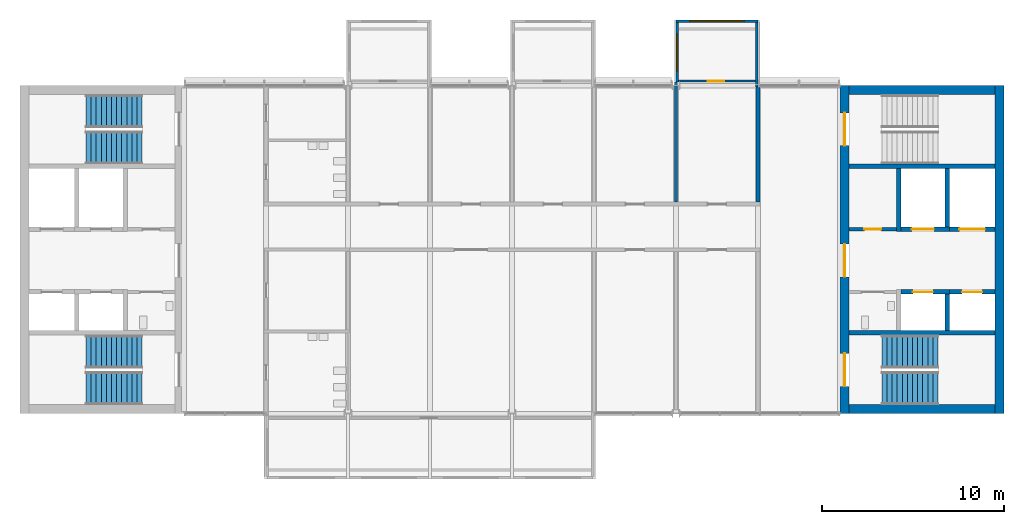
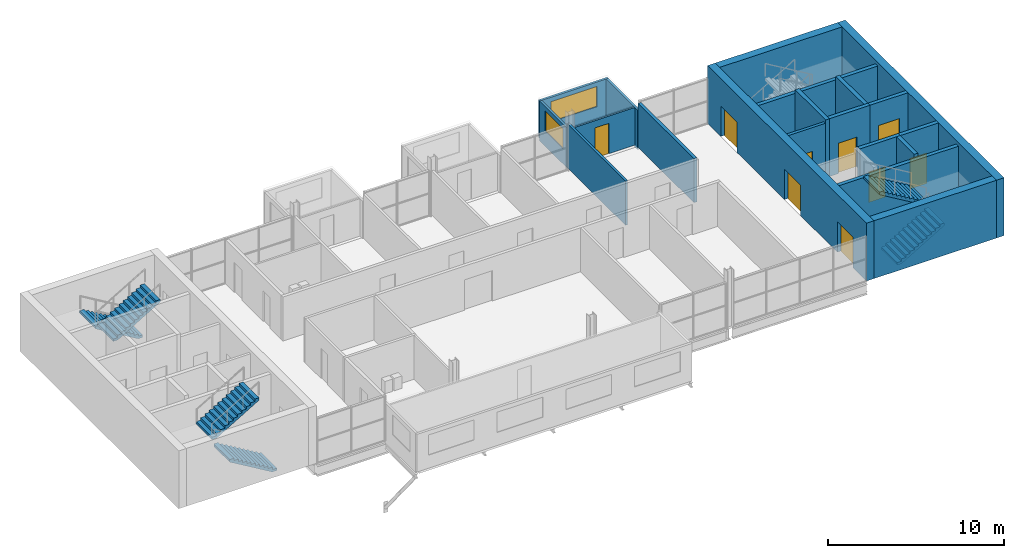
# One storey, part 8 of 12: 20 walls, 9 doors, 6 stair flights, 2 windows, 11 openings, 3 elements without a shape of their own.
"""IFC4 building model written with IfcOpenShell, lengths in metres."""

from ifc_helpers import new_model, si_unit, direction, frame, frame_2d, origin, place, context, subcontext, project, spatial, polyline, rectangle, outline, extrude, material, layer, layer_set, type_object, element, fill, aggregate, save


model = new_model("IFC4")

# Units and contexts
model_context = context("Model", 3, precision=1e-05, world=origin(), true_north=direction((0.0, 1.0)))
body_context = subcontext(model_context, "Body", "Model", "MODEL_VIEW")
ifc_project = project(units=[si_unit("LENGTHUNIT", "METRE"), si_unit("AREAUNIT", "SQUARE_METRE"), si_unit("VOLUMEUNIT", "CUBIC_METRE"), si_unit("PLANEANGLEUNIT", "RADIAN"), si_unit("MASSUNIT", "GRAM", prefix="KILO")], contexts=[model_context])

# Site, building, storey
site_placement = place(None, origin())
site = spatial("IfcSite", under=ifc_project, at=site_placement, CompositionType="ELEMENT")
building_placement = place(site_placement, origin())
building = spatial("IfcBuilding", under=site, at=building_placement, Name="Corbel Yard City Hall", CompositionType="ELEMENT")
storey_placement = place(building_placement, frame((0.0, 0.0, 31.199951171875)))
storey = spatial("IfcBuildingStorey", under=building, at=storey_placement, Name="L07", CompositionType="ELEMENT", Elevation=31.199951171875)

# Walls
ifc_material_1 = material(Name="Concrete N40 (40 MPa)", Category="concrete")
ifc_layer_1 = layer(ifc_material_1, 0.25)
ifc_layer_set_1 = layer_set([ifc_layer_1], Name="Concrete N40 (40 MPa)")
wall_type_1 = type_object("IfcWallType", Name="IW2", PredefinedType="SOLIDWALL", material=ifc_layer_set_1)
for number, where, z_axis, x_axis, name in (
    (1, (45.5, 103.425048828125, 0.0), (0.0, 0.0, 1.0), (1.0, 0.0, 0.0), "Stair enclosure wall"),
    (2, (45.5, 112.574951171875, 0.0), (0.0, 0.0, 1.0), (1.0, 0.0, 0.0), "Stair enclosure wall"),
):
    element("IfcWall", number, at=place(storey_placement, frame(where, z_axis=z_axis, x_axis=x_axis)), inside=storey, type_object=wall_type_1, Name=name, PredefinedType="SOLIDWALL", context=body_context, shape_type="SweptSolid", body=[
        extrude(rectangle(XDim=8.0, YDim=0.25, at=frame_2d((4.0, 0.0))), origin(), (0.0, 0.0, 1.0), 3.75),
    ])
wall_1_placement = place(storey_placement, frame((50.875, 103.550048828125, 0.0), z_axis=(0.0, 0.0, 1.0), x_axis=(0.0, 1.0, 0.0)))
element("IfcWall", 3, at=wall_1_placement, inside=storey, type_object=wall_type_1, Name="Lift LP25 shaft wall", PredefinedType="SOLIDWALL", context=body_context, shape_type="SweptSolid", body=[
    extrude(rectangle(XDim=2.0, YDim=0.25, at=frame_2d((1.0, 0.0))), origin(), (0.0, 0.0, 1.0), 4.0),
])

# Wall, opening, door
wall_2_placement = place(storey_placement, frame((48.35009765625, 105.675048828125, 0.0), z_axis=(0.0, 0.0, 1.0), x_axis=(1.0, 0.0, 0.0)))
wall_2 = element("IfcWall", 4, at=wall_2_placement, inside=storey, type_object=wall_type_1, Name="Lift LP25 shaft wall", PredefinedType="SOLIDWALL", context=body_context, shape_type="SweptSolid", body=[
    extrude(rectangle(XDim=2.64990234375, YDim=0.25, at=frame_2d((1.324951171875, 0.0))), origin(), (0.0, 0.0, 1.0), 4.0),
])
opening_1_placement = place(wall_2_placement, frame((0.64990234375, 0.0, 0.0)))
opening_1 = element("IfcOpeningElement", 5, at=opening_1_placement, cuts=wall_2, Name="Opening T2-009", PredefinedType="OPENING", context=body_context, shape_type="SweptSolid", body=[
    extrude(rectangle(XDim=1.10009765625, YDim=2.10009765625, at=frame_2d((0.550048828125, 1.050048828125))), frame((0.0, 0.135009765625, 0.0), z_axis=(0.0, -1.0, 0.0), x_axis=(1.0, 0.0, 0.0)), (0.0, 0.0, 1.0), 0.27001953125),
])
ifc_material_2 = material(Name="Stainless steel Grade 316", Category="steel")
door_type_1 = type_object("IfcDoorType", Name="LD1", OperationType="DOUBLE_DOOR_SLIDING", PredefinedType="DOOR", material=ifc_material_2)
door_1_placement = place(opening_1_placement, origin())
door_1 = element("IfcDoor", 6, at=door_1_placement, inside=storey, type_object=door_type_1, Name="Lift LP25 landing door", OperationType="DOUBLE_DOOR_SLIDING", OverallHeight=2.10009765625, OverallWidth=1.10009765625, PredefinedType="DOOR", context=body_context, shape_type="SweptSolid", body=[
    extrude(rectangle(XDim=1.10009765625, YDim=2.10009765625, at=frame_2d((0.550048828125, 1.050048828125))), frame((0.0, 0.02490234375, 0.0), z_axis=(0.0, -1.0, 0.0), x_axis=(1.0, 0.0, 0.0)), (0.0, 0.0, 1.0), 0.050048828125),
])
fill(opening_1, door_1)

wall_3_placement = place(storey_placement, frame((51.0, 105.675048828125, 0.0), z_axis=(0.0, 0.0, 1.0), x_axis=(1.0, 0.0, 0.0)))
wall_3 = element("IfcWall", 7, at=wall_3_placement, inside=storey, type_object=wall_type_1, Name="Lift LP26 shaft wall", PredefinedType="SOLIDWALL", context=body_context, shape_type="SweptSolid", body=[
    extrude(rectangle(XDim=2.5, YDim=0.25, at=frame_2d((1.25, 0.0))), origin(), (0.0, 0.0, 1.0), 4.0),
])
opening_2_placement = place(wall_3_placement, frame((0.699951171875, 0.0, 0.0)))
opening_2 = element("IfcOpeningElement", 8, at=opening_2_placement, cuts=wall_3, Name="Opening T2-010", PredefinedType="OPENING", context=body_context, shape_type="SweptSolid", body=[
    extrude(rectangle(XDim=1.10009765625, YDim=2.10009765625, at=frame_2d((0.550048828125, 1.050048828125))), frame((0.0, 0.135009765625, 0.0), z_axis=(0.0, -1.0, 0.0), x_axis=(1.0, 0.0, 0.0)), (0.0, 0.0, 1.0), 0.27001953125),
])
door_2_placement = place(opening_2_placement, origin())
door_2 = element("IfcDoor", 9, at=door_2_placement, inside=storey, type_object=door_type_1, Name="Lift LP26 landing door", OperationType="DOUBLE_DOOR_SLIDING", OverallHeight=2.10009765625, OverallWidth=1.10009765625, PredefinedType="DOOR", context=body_context, shape_type="SweptSolid", body=[
    extrude(rectangle(XDim=1.10009765625, YDim=2.10009765625, at=frame_2d((0.550048828125, 1.050048828125))), frame((0.0, 0.02490234375, 0.0), z_axis=(0.0, -1.0, 0.0), x_axis=(1.0, 0.0, 0.0)), (0.0, 0.0, 1.0), 0.050048828125),
])
fill(opening_2, door_2)

# Walls
wall_4_placement = place(storey_placement, frame((48.22509765625, 109.0, 0.0), z_axis=(0.0, 0.0, 1.0), x_axis=(0.0, 1.0, 0.0)))
element("IfcWall", 10, at=wall_4_placement, inside=storey, type_object=wall_type_1, Name="Lift LF2 shaft wall", PredefinedType="SOLIDWALL", context=body_context, shape_type="SweptSolid", body=[
    extrude(rectangle(XDim=3.449951171875, YDim=0.25, at=frame_2d((1.72509765625, 0.0))), origin(), (0.0, 0.0, 1.0), 4.0),
])
wall_5_placement = place(storey_placement, frame((50.875, 109.25, 0.0), z_axis=(0.0, 0.0, 1.0), x_axis=(0.0, 1.0, 0.0)))
element("IfcWall", 11, at=wall_5_placement, inside=storey, type_object=wall_type_1, Name="Lift LF2 shaft wall", PredefinedType="SOLIDWALL", context=body_context, shape_type="SweptSolid", body=[
    extrude(rectangle(XDim=3.199951171875, YDim=0.25, at=frame_2d((1.60009765625, 0.0))), origin(), (0.0, 0.0, 1.0), 4.0),
])

# Wall, opening, door
wall_6_placement = place(storey_placement, frame((48.35009765625, 109.125, 0.0), z_axis=(0.0, 0.0, 1.0), x_axis=(1.0, 0.0, 0.0)))
wall_6 = element("IfcWall", 12, at=wall_6_placement, inside=storey, type_object=wall_type_1, Name="Lift LF2 shaft wall", PredefinedType="SOLIDWALL", context=body_context, shape_type="SweptSolid", body=[
    extrude(rectangle(XDim=2.64990234375, YDim=0.25, at=frame_2d((1.324951171875, 0.0))), origin(), (0.0, 0.0, 1.0), 4.0),
])
opening_3_placement = place(wall_6_placement, frame((0.60009765625, 0.0, 0.0)))
opening_3 = element("IfcOpeningElement", 13, at=opening_3_placement, cuts=wall_6, Name="Opening T2-011", PredefinedType="OPENING", context=body_context, shape_type="SweptSolid", body=[
    extrude(rectangle(XDim=1.199951171875, YDim=2.10009765625, at=frame_2d((0.60009765625, 1.050048828125))), frame((0.0, 0.135009765625, 0.0), z_axis=(0.0, -1.0, 0.0), x_axis=(1.0, 0.0, 0.0)), (0.0, 0.0, 1.0), 0.27001953125),
])
door_type_2 = type_object("IfcDoorType", Name="LD2", OperationType="DOUBLE_DOOR_SLIDING", PredefinedType="DOOR", material=ifc_material_2)
door_3_placement = place(opening_3_placement, origin())
door_3 = element("IfcDoor", 14, at=door_3_placement, inside=storey, type_object=door_type_2, Name="Lift LF2 landing door", OperationType="DOUBLE_DOOR_SLIDING", OverallHeight=2.10009765625, OverallWidth=1.199951171875, PredefinedType="DOOR", context=body_context, shape_type="SweptSolid", body=[
    extrude(rectangle(XDim=1.199951171875, YDim=2.10009765625, at=frame_2d((0.60009765625, 1.050048828125))), frame((0.0, 0.02490234375, 0.0), z_axis=(0.0, -1.0, 0.0), x_axis=(1.0, 0.0, 0.0)), (0.0, 0.0, 1.0), 0.050048828125),
])
fill(opening_3, door_3)

wall_7_placement = place(storey_placement, frame((51.0, 109.125, 0.0), z_axis=(0.0, 0.0, 1.0), x_axis=(1.0, 0.0, 0.0)))
wall_7 = element("IfcWall", 15, at=wall_7_placement, inside=storey, type_object=wall_type_1, Name="Lift LG1 shaft wall", PredefinedType="SOLIDWALL", context=body_context, shape_type="SweptSolid", body=[
    extrude(rectangle(XDim=2.5, YDim=0.25, at=frame_2d((1.25, 0.0))), origin(), (0.0, 0.0, 1.0), 4.0),
])
opening_4_placement = place(wall_7_placement, frame((0.550048828125, 0.0, 0.0)))
opening_4 = element("IfcOpeningElement", 16, at=opening_4_placement, cuts=wall_7, Name="Opening T2-012", PredefinedType="OPENING", context=body_context, shape_type="SweptSolid", body=[
    extrude(rectangle(XDim=1.39990234375, YDim=2.39990234375, at=frame_2d((0.699951171875, 1.199951171875))), frame((0.0, 0.135009765625, 0.0), z_axis=(0.0, -1.0, 0.0), x_axis=(1.0, 0.0, 0.0)), (0.0, 0.0, 1.0), 0.27001953125),
])
door_type_3 = type_object("IfcDoorType", Name="LD3", OperationType="DOUBLE_DOOR_SLIDING", PredefinedType="DOOR", material=ifc_material_2)
door_4_placement = place(opening_4_placement, origin())
door_4 = element("IfcDoor", 17, at=door_4_placement, inside=storey, type_object=door_type_3, Name="Lift LG1 landing door", OperationType="DOUBLE_DOOR_SLIDING", OverallHeight=2.39990234375, OverallWidth=1.39990234375, PredefinedType="DOOR", context=body_context, shape_type="SweptSolid", body=[
    extrude(rectangle(XDim=1.39990234375, YDim=2.39990234375, at=frame_2d((0.699951171875, 1.199951171875))), frame((0.0, 0.02490234375, 0.0), z_axis=(0.0, -1.0, 0.0), x_axis=(1.0, 0.0, 0.0)), (0.0, 0.0, 1.0), 0.050048828125),
])
fill(opening_4, door_4)

# Wall, opening, window
ifc_material_3 = material(Name="Anodised aluminium", Category="aluminium")
ifc_layer_2 = layer(ifc_material_3, 0.02392578125)
ifc_material_4 = material(Name="Steel Grade G550 (550 MPa yield)", Category="steel")
ifc_layer_3 = layer(ifc_material_4, 0.10009765625)
ifc_material_5 = material(Name="Gypsum plasterboard", Category="gypsum")
ifc_layer_4 = layer(ifc_material_5, 0.02587890625)
ifc_layer_set_2 = layer_set([ifc_layer_2, ifc_layer_3, ifc_layer_4], Name="Steel Grade G550 (550 MPa yield)")
wall_type_2 = type_object("IfcWallType", Name="PD1", PredefinedType="SOLIDWALL", material=ifc_layer_set_2)
wall_8_placement = place(storey_placement, frame((36.0, 120.52490234375, 0.0), z_axis=(0.0, 0.0, 1.0), x_axis=(1.0, 0.0, 0.0)))
wall_8 = element("IfcWall", 18, at=wall_8_placement, inside=storey, type_object=wall_type_2, Name="Pod outer wall L07", PredefinedType="SOLIDWALL", context=body_context, shape_type="SweptSolid", body=[
    extrude(rectangle(XDim=4.5, YDim=0.14990234375, at=frame_2d((2.25, 0.0))), origin(), (0.0, 0.0, 1.0), 2.60009765625),
])
opening_5_placement = place(wall_8_placement, frame((0.75, 0.0, 0.89990234375)))
opening_5 = element("IfcOpeningElement", 19, at=opening_5_placement, cuts=wall_8, Name="Opening WN5", PredefinedType="OPENING", context=body_context, shape_type="SweptSolid", body=[
    extrude(rectangle(XDim=3.0, YDim=1.39990234375, at=frame_2d((1.5, 0.699951171875))), frame((0.0, 0.0849609375, 0.0), z_axis=(0.0, -1.0, 0.0), x_axis=(1.0, 0.0, 0.0)), (0.0, 0.0, 1.0), 0.169921875),
])
ifc_material_6 = material(Name="Aluminium frame, double glazed low-e glass", Category="aluminium")
window_type_1 = type_object("IfcWindowType", Name="WN5", PartitioningType="SINGLE_PANEL", PredefinedType="WINDOW", material=ifc_material_6)
window_1_placement = place(opening_5_placement, origin())
window_1 = element("IfcWindow", 20, at=window_1_placement, inside=storey, type_object=window_type_1, Name="Window WN5 L07", OverallHeight=1.39990234375, OverallWidth=3.0, PartitioningType="SINGLE_PANEL", PredefinedType="WINDOW", context=body_context, shape_type="SweptSolid", body=[
    extrude(rectangle(XDim=3.0, YDim=1.39990234375, at=frame_2d((1.5, 0.699951171875))), frame((0.0, 0.030029296875, 0.0), z_axis=(0.0, -1.0, 0.0), x_axis=(1.0, 0.0, 0.0)), (0.0, 0.0, 1.0), 0.06005859375),
])
fill(opening_5, window_1)

# Wall, opening, door
ifc_layer_5 = layer(ifc_material_5, 0.01806640625)
ifc_layer_6 = layer(ifc_material_4, 0.06396484375)
ifc_layer_7 = layer(ifc_material_5, 0.01806640625)
ifc_layer_set_3 = layer_set([ifc_layer_5, ifc_layer_6, ifc_layer_7], Name="Steel Grade G550 (550 MPa yield)")
wall_type_3 = type_object("IfcWallType", Name="PD2", PredefinedType="PARTITIONING", material=ifc_layer_set_3)
wall_9_placement = place(storey_placement, frame((36.14990234375, 117.25, 0.0), z_axis=(0.0, 0.0, 1.0), x_axis=(1.0, 0.0, 0.0)))
wall_9 = element("IfcWall", 21, at=wall_9_placement, inside=storey, type_object=wall_type_3, Name="Pod inner wall L07", PredefinedType="PARTITIONING", context=body_context, shape_type="SweptSolid", body=[
    extrude(rectangle(XDim=4.2001953125, YDim=0.10009765625, at=frame_2d((2.10009765625, 0.0))), origin(), (0.0, 0.0, 1.0), 2.60009765625),
])
opening_6_placement = place(wall_9_placement, frame((1.60009765625, 0.0, 0.0)))
opening_6 = element("IfcOpeningElement", 22, at=opening_6_placement, cuts=wall_9, Name="Opening T2-004", PredefinedType="OPENING", context=body_context, shape_type="SweptSolid", body=[
    extrude(rectangle(XDim=0.89990234375, YDim=2.10009765625, at=frame_2d((0.449951171875, 1.050048828125))), frame((0.0, 0.06005859375, 0.0), z_axis=(0.0, -1.0, 0.0), x_axis=(1.0, 0.0, 0.0)), (0.0, 0.0, 1.0), 0.1201171875),
])
ifc_material_7 = material(Name="Timber, solid core", Category="wood")
door_type_4 = type_object("IfcDoorType", Name="XD6", OperationType="SINGLE_SWING_LEFT", PredefinedType="DOOR", material=ifc_material_7)
door_5_placement = place(opening_6_placement, origin())
door_5 = element("IfcDoor", 23, at=door_5_placement, inside=storey, type_object=door_type_4, Name="Pod door L07", OperationType="SINGLE_SWING_LEFT", OverallHeight=2.10009765625, OverallWidth=0.89990234375, PredefinedType="DOOR", context=body_context, shape_type="SweptSolid", body=[
    extrude(rectangle(XDim=0.89990234375, YDim=2.10009765625, at=frame_2d((0.449951171875, 1.050048828125))), frame((0.0, 0.02490234375, 0.0), z_axis=(0.0, -1.0, 0.0), x_axis=(1.0, 0.0, 0.0)), (0.0, 0.0, 1.0), 0.050048828125),
])
fill(opening_6, door_5)

# Wall, opening, window
ifc_layer_8 = layer(ifc_material_3, 0.02392578125)
ifc_layer_9 = layer(ifc_material_4, 0.10009765625)
ifc_layer_10 = layer(ifc_material_5, 0.02587890625)
ifc_layer_set_4 = layer_set([ifc_layer_8, ifc_layer_9, ifc_layer_10], Name="Steel Grade G550 (550 MPa yield)")
wall_type_4 = type_object("IfcWallType", Name="PD3", PredefinedType="SOLIDWALL", material=ifc_layer_set_4)
wall_10_placement = place(storey_placement, frame((36.074951171875, 120.449951171875, -0.14990234375), z_axis=(0.0, 0.0, 1.0), x_axis=(0.0, -1.0, 0.0)))
wall_10 = element("IfcWall", 24, at=wall_10_placement, inside=storey, type_object=wall_type_4, Name="Pod side wall L07", PredefinedType="SOLIDWALL", context=body_context, shape_type="SweptSolid", body=[
    extrude(rectangle(XDim=3.25, YDim=0.14990234375, at=frame_2d((1.625, 0.0))), origin(), (0.0, 0.0, 1.0), 2.75),
])
opening_7_placement = place(wall_10_placement, frame((0.625, 0.0, 1.050048828125)))
opening_7 = element("IfcOpeningElement", 25, at=opening_7_placement, cuts=wall_10, Name="Opening WN6", PredefinedType="OPENING", context=body_context, shape_type="SweptSolid", body=[
    extrude(rectangle(XDim=2.0, YDim=1.39990234375, at=frame_2d((1.0, 0.699951171875))), frame((0.0, 0.0849609375, 0.0), z_axis=(0.0, -1.0, 0.0), x_axis=(1.0, 0.0, 0.0)), (0.0, 0.0, 1.0), 0.169921875),
])
window_type_2 = type_object("IfcWindowType", Name="WN6", PartitioningType="SINGLE_PANEL", PredefinedType="WINDOW", material=ifc_material_6)
window_2_placement = place(opening_7_placement, origin())
window_2 = element("IfcWindow", 26, at=window_2_placement, inside=storey, type_object=window_type_2, Name="Window WN6 L07", OverallHeight=1.39990234375, OverallWidth=2.0, PartitioningType="SINGLE_PANEL", PredefinedType="WINDOW", context=body_context, shape_type="SweptSolid", body=[
    extrude(rectangle(XDim=2.0, YDim=1.39990234375, at=frame_2d((1.0, 0.699951171875))), frame((0.0, 0.030029296875, 0.0), z_axis=(0.0, -1.0, 0.0), x_axis=(1.0, 0.0, 0.0)), (0.0, 0.0, 1.0), 0.06005859375),
])
fill(opening_7, window_2)

# Walls
wall_11_placement = place(storey_placement, frame((40.425048828125, 120.449951171875, -0.14990234375), z_axis=(0.0, 0.0, 1.0), x_axis=(0.0, -1.0, 0.0)))
element("IfcWall", 27, at=wall_11_placement, inside=storey, type_object=wall_type_4, Name="Pod side wall L07", PredefinedType="SOLIDWALL", context=body_context, shape_type="SweptSolid", body=[
    extrude(rectangle(XDim=3.5400390625, YDim=0.14990234375, at=frame_2d((1.77001953125, 0.0))), origin(), (0.0, 0.0, 1.0), 2.75),
])
ifc_layer_11 = layer(ifc_material_5, 0.031982421875)
ifc_layer_12 = layer(ifc_material_4, 0.135986328125)
ifc_layer_13 = layer(ifc_material_5, 0.031982421875)
ifc_layer_set_5 = layer_set([ifc_layer_11, ifc_layer_12, ifc_layer_13], Name="Steel Grade G550 (550 MPa yield)")
wall_type_5 = type_object("IfcWallType", Name="PT2", PredefinedType="PARTITIONING", material=ifc_layer_set_5)
wall_12_placement = place(storey_placement, frame((40.5, 110.60009765625, 0.0), z_axis=(0.0, 0.0, 1.0), x_axis=(0.0, 1.0, 0.0)))
element("IfcWall", 28, at=wall_12_placement, inside=storey, type_object=wall_type_5, Name="Acoustic wall", PredefinedType="PARTITIONING", context=body_context, shape_type="SweptSolid", body=[
    extrude(rectangle(XDim=6.309814453125, YDim=0.199951171875, at=frame_2d((3.15478515625, 0.0))), origin(), (0.0, 0.0, 1.0), 3.050048828125),
])

# Wall, opening, door
ifc_material_8 = material(Name="Concrete block", Category="concrete")
ifc_layer_14 = layer(ifc_material_8, 0.18994140625)
ifc_layer_set_6 = layer_set([ifc_layer_14], Name="Concrete block")
wall_type_6 = type_object("IfcWallType", Name="PT4", PredefinedType="PARTITIONING", material=ifc_layer_set_6)
wall_13_placement = place(storey_placement, frame((45.5, 109.125, 0.0), z_axis=(0.0, 0.0, 1.0), x_axis=(1.0, 0.0, 0.0)))
wall_13 = element("IfcWall", 29, at=wall_13_placement, inside=storey, type_object=wall_type_6, Name="Riser wall", PredefinedType="PARTITIONING", context=body_context, shape_type="SweptSolid", body=[
    extrude(rectangle(XDim=2.60009765625, YDim=0.18994140625, at=frame_2d((1.300048828125, 0.0))), origin(), (0.0, 0.0, 1.0), 3.75),
])
opening_8_placement = place(wall_13_placement, frame((0.840087890625, 0.0, 0.0)))
opening_8 = element("IfcOpeningElement", 30, at=opening_8_placement, cuts=wall_13, Name="Opening T2-034", PredefinedType="OPENING", context=body_context, shape_type="SweptSolid", body=[
    extrude(rectangle(XDim=0.919921875, YDim=2.10009765625, at=frame_2d((0.4599609375, 1.050048828125))), frame((0.0, 0.10498046875, 0.0), z_axis=(0.0, -1.0, 0.0), x_axis=(1.0, 0.0, 0.0)), (0.0, 0.0, 1.0), 0.2099609375),
])
ifc_material_9 = material(Name="Steel Grade G250", Category="steel")
door_type_5 = type_object("IfcDoorType", Name="FS4", OperationType="SINGLE_SWING_LEFT", PredefinedType="DOOR", material=ifc_material_9)
door_6_placement = place(opening_8_placement, origin())
door_6 = element("IfcDoor", 31, at=door_6_placement, inside=storey, type_object=door_type_5, Name="Door riser East", OperationType="SINGLE_SWING_LEFT", OverallHeight=2.10009765625, OverallWidth=0.919921875, PredefinedType="DOOR", context=body_context, shape_type="SweptSolid", body=[
    extrude(rectangle(XDim=0.919921875, YDim=2.10009765625, at=frame_2d((0.4599609375, 1.050048828125))), frame((0.0, 0.02490234375, 0.0), z_axis=(0.0, -1.0, 0.0), x_axis=(1.0, 0.0, 0.0)), (0.0, 0.0, 1.0), 0.050048828125),
])
fill(opening_8, door_6)

# Wall
ifc_layer_15 = layer(ifc_material_5, 0.031982421875)
ifc_layer_16 = layer(ifc_material_4, 0.0859375)
ifc_layer_17 = layer(ifc_material_5, 0.031982421875)
ifc_layer_set_7 = layer_set([ifc_layer_15, ifc_layer_16, ifc_layer_17], Name="Steel Grade G550 (550 MPa yield)")
wall_type_7 = type_object("IfcWallType", Name="PT7", PredefinedType="PARTITIONING", material=ifc_layer_set_7)
wall_14_placement = place(storey_placement, frame((36.0, 110.60009765625, 0.0), z_axis=(0.0, 0.0, 1.0), x_axis=(0.0, 1.0, 0.0)))
element("IfcWall", 32, at=wall_14_placement, inside=storey, type_object=wall_type_7, Name="Suite partition", PredefinedType="PARTITIONING", context=body_context, shape_type="SweptSolid", body=[
    extrude(rectangle(XDim=6.599853515625, YDim=0.14990234375, at=frame_2d((3.2998046875, 0.0))), origin(), (0.0, 0.0, 1.0), 3.050048828125),
])

# Wall, openings, doors
ifc_material_10 = material(Name="Concrete N50 (50 MPa)", Category="concrete")
ifc_layer_18 = layer(ifc_material_10, 0.5)
ifc_layer_set_8 = layer_set([ifc_layer_18], Name="Concrete N50 (50 MPa)")
wall_type_8 = type_object("IfcWallType", Name="Trunk wall 500", PredefinedType="SHEAR", material=ifc_layer_set_8)
wall_15_placement = place(storey_placement, frame((45.25, 99.0, 0.0), z_axis=(0.0, 0.0, 1.0), x_axis=(0.0, 1.0, 0.0)))
wall_15 = element("IfcWall", 33, at=wall_15_placement, inside=storey, type_object=wall_type_8, Name="Trunk E west wall", PredefinedType="SHEAR", context=body_context, shape_type="SweptSolid", body=[
    extrude(rectangle(XDim=18.0, YDim=0.5, at=frame_2d((9.0, 0.0))), origin(), (0.0, 0.0, 1.0), 4.0),
])
opening_9_placement = place(wall_15_placement, frame((1.5, 0.0, 0.0)))
opening_9 = element("IfcOpeningElement", 34, at=opening_9_placement, cuts=wall_15, Name="Opening T2-030", PredefinedType="OPENING", context=body_context, shape_type="SweptSolid", body=[
    extrude(rectangle(XDim=1.800048828125, YDim=2.10009765625, at=frame_2d((0.89990234375, 1.050048828125))), frame((0.0, 0.260009765625, 0.0), z_axis=(0.0, -1.0, 0.0), x_axis=(1.0, 0.0, 0.0)), (0.0, 0.0, 1.0), 0.52001953125),
])
opening_10_placement = place(wall_15_placement, frame((14.699951171875, 0.0, 0.0)))
opening_10 = element("IfcOpeningElement", 35, at=opening_10_placement, cuts=wall_15, Name="Opening T2-031", PredefinedType="OPENING", context=body_context, shape_type="SweptSolid", body=[
    extrude(rectangle(XDim=1.800048828125, YDim=2.10009765625, at=frame_2d((0.89990234375, 1.050048828125))), frame((0.0, 0.260009765625, 0.0), z_axis=(0.0, -1.0, 0.0), x_axis=(1.0, 0.0, 0.0)), (0.0, 0.0, 1.0), 0.52001953125),
])
opening_11_placement = place(wall_15_placement, frame((7.5, 0.0, 0.0)))
opening_11 = element("IfcOpeningElement", 36, at=opening_11_placement, cuts=wall_15, Name="Opening T2-032", PredefinedType="OPENING", context=body_context, shape_type="SweptSolid", body=[
    extrude(rectangle(XDim=1.800048828125, YDim=2.10009765625, at=frame_2d((0.89990234375, 1.050048828125))), frame((0.0, 0.260009765625, 0.0), z_axis=(0.0, -1.0, 0.0), x_axis=(1.0, 0.0, 0.0)), (0.0, 0.0, 1.0), 0.52001953125),
])
door_type_6 = type_object("IfcDoorType", Name="FS3", OperationType="DOUBLE_DOOR_SINGLE_SWING", PredefinedType="DOOR", material=ifc_material_9)
door_7_placement = place(opening_9_placement, origin())
door_7 = element("IfcDoor", 37, at=door_7_placement, inside=storey, type_object=door_type_6, Name="Door ST-E1", OperationType="DOUBLE_DOOR_SINGLE_SWING", OverallHeight=2.10009765625, OverallWidth=1.800048828125, PredefinedType="DOOR", context=body_context, shape_type="SweptSolid", body=[
    extrude(rectangle(XDim=1.800048828125, YDim=2.10009765625, at=frame_2d((0.89990234375, 1.050048828125))), frame((0.0, 0.02490234375, 0.0), z_axis=(0.0, -1.0, 0.0), x_axis=(1.0, 0.0, 0.0)), (0.0, 0.0, 1.0), 0.050048828125),
])
fill(opening_9, door_7)
door_8_placement = place(opening_10_placement, origin())
door_8 = element("IfcDoor", 38, at=door_8_placement, inside=storey, type_object=door_type_6, Name="Door ST-E2", OperationType="DOUBLE_DOOR_SINGLE_SWING", OverallHeight=2.10009765625, OverallWidth=1.800048828125, PredefinedType="DOOR", context=body_context, shape_type="SweptSolid", body=[
    extrude(rectangle(XDim=1.800048828125, YDim=2.10009765625, at=frame_2d((0.89990234375, 1.050048828125))), frame((0.0, 0.02490234375, 0.0), z_axis=(0.0, -1.0, 0.0), x_axis=(1.0, 0.0, 0.0)), (0.0, 0.0, 1.0), 0.050048828125),
])
fill(opening_10, door_8)
door_9_placement = place(opening_11_placement, origin())
door_9 = element("IfcDoor", 39, at=door_9_placement, inside=storey, type_object=door_type_6, Name="Door lift lobby East", OperationType="DOUBLE_DOOR_SINGLE_SWING", OverallHeight=2.10009765625, OverallWidth=1.800048828125, PredefinedType="DOOR", context=body_context, shape_type="SweptSolid", body=[
    extrude(rectangle(XDim=1.800048828125, YDim=2.10009765625, at=frame_2d((0.89990234375, 1.050048828125))), frame((0.0, 0.02490234375, 0.0), z_axis=(0.0, -1.0, 0.0), x_axis=(1.0, 0.0, 0.0)), (0.0, 0.0, 1.0), 0.050048828125),
])
fill(opening_11, door_9)

# Walls
wall_16_placement = place(storey_placement, frame((53.75, 99.0, 0.0), z_axis=(0.0, 0.0, 1.0), x_axis=(0.0, 1.0, 0.0)))
element("IfcWall", 40, at=wall_16_placement, inside=storey, type_object=wall_type_8, Name="Trunk E east wall", PredefinedType="SHEAR", context=body_context, shape_type="SweptSolid", body=[
    extrude(rectangle(XDim=18.0, YDim=0.5, at=frame_2d((9.0, 0.0))), origin(), (0.0, 0.0, 1.0), 4.0),
])
for number, where, z_axis, x_axis, name in (
    (41, (45.5, 99.25, 0.0), (0.0, 0.0, 1.0), (1.0, 0.0, 0.0), "Trunk E south wall"),
    (42, (45.5, 116.75, 0.0), (0.0, 0.0, 1.0), (1.0, 0.0, 0.0), "Trunk E north wall"),
):
    element("IfcWall", number, at=place(storey_placement, frame(where, z_axis=z_axis, x_axis=x_axis)), inside=storey, type_object=wall_type_8, Name=name, PredefinedType="SHEAR", context=body_context, shape_type="SweptSolid", body=[
        extrude(rectangle(XDim=8.0, YDim=0.5, at=frame_2d((4.0, 0.0))), origin(), (0.0, 0.0, 1.0), 4.0),
    ])

# Stair, stair flights
stair_type = type_object("IfcStairType", Name="ST4", PredefinedType="HALF_TURN_STAIR", material=ifc_material_1)
stair_1_placement = place(storey_placement, origin())
stair_1 = element("IfcStair", 43, at=stair_1_placement, inside=storey, type_object=stair_type, Name="Exit stair ST-W1 L07", PredefinedType="HALF_TURN_STAIR")
stair_flight_type = type_object("IfcStairFlightType", Name="FL4", PredefinedType="STRAIGHT", material=ifc_material_1)
stair_flight_1_placement = place(storey_placement, frame((6.699951171875, 100.39990234375, 0.0), z_axis=(0.0, 0.0, 1.0), x_axis=(-1.0, 0.0, 0.0)))
stair_flight_1 = element("IfcStairFlight", 44, at=stair_flight_1_placement, type_object=stair_flight_type, Name="ST-W1 flight 1", NumberOfRisers=12, NumberOfTreads=11, PredefinedType="STRAIGHT", RiserHeight=0.166667, TreadLength=0.28, context=body_context, shape_type="SweptSolid", body=[
    extrude(outline(polyline([(0.0, 0.0), (0.0, 0.166748046875), (0.280029296875, 0.166748046875), (0.280029296875, 0.333251953125), (0.56005859375, 0.333251953125), (0.56005859375, 0.5), (0.840087890625, 0.5), (0.840087890625, 0.666748046875), (1.1201171875, 0.666748046875), (1.1201171875, 0.833251953125), (1.39990234375, 0.833251953125), (1.39990234375, 1.0), (1.679931640625, 1.0), (1.679931640625, 1.166748046875), (1.9599609375, 1.166748046875), (1.9599609375, 1.333251953125), (2.239990234375, 1.333251953125), (2.239990234375, 1.5), (2.52001953125, 1.5), (2.52001953125, 1.666748046875), (2.800048828125, 1.666748046875), (2.800048828125, 1.833251953125), (3.080078125, 1.833251953125), (3.080078125, 2.0), (3.080078125, 1.658935546875), (0.29296875, 0.0), (0.0, 0.0)])), frame((0.0, 0.89990234375, 0.0), z_axis=(0.0, -1.0, 0.0), x_axis=(1.0, 0.0, 0.0)), (0.0, 0.0, 1.0), 1.800048828125),
])
stair_flight_2_placement = place(storey_placement, frame((3.6201171875, 102.39990234375, 2.0), z_axis=(0.0, 0.0, 1.0), x_axis=(1.0, 0.0, 0.0)))
stair_flight_2 = element("IfcStairFlight", 45, at=stair_flight_2_placement, type_object=stair_flight_type, Name="ST-W1 flight 2", NumberOfRisers=12, NumberOfTreads=11, PredefinedType="STRAIGHT", RiserHeight=0.166667, TreadLength=0.28, context=body_context, shape_type="SweptSolid", body=[
    extrude(outline(polyline([(0.0, 0.0), (0.0, 0.166748046875), (0.280029296875, 0.166748046875), (0.280029296875, 0.333251953125), (0.56005859375, 0.333251953125), (0.56005859375, 0.5), (0.840087890625, 0.5), (0.840087890625, 0.666748046875), (1.1201171875, 0.666748046875), (1.1201171875, 0.833251953125), (1.39990234375, 0.833251953125), (1.39990234375, 1.0), (1.679931640625, 1.0), (1.679931640625, 1.166748046875), (1.9599609375, 1.166748046875), (1.9599609375, 1.333251953125), (2.239990234375, 1.333251953125), (2.239990234375, 1.5), (2.52001953125, 1.5), (2.52001953125, 1.666748046875), (2.800048828125, 1.666748046875), (2.800048828125, 1.833251953125), (3.080078125, 1.833251953125), (3.080078125, 2.0), (3.080078125, 1.658935546875), (0.29296875, 0.0), (0.0, 0.0)])), frame((0.0, 0.89990234375, 0.0), z_axis=(0.0, -1.0, 0.0), x_axis=(1.0, 0.0, 0.0)), (0.0, 0.0, 1.0), 1.800048828125),
])
aggregate(stair_1, [stair_flight_1, stair_flight_2])

stair_2_placement = place(storey_placement, origin())
stair_2 = element("IfcStair", 46, at=stair_2_placement, inside=storey, type_object=stair_type, Name="Exit stair ST-W2 L07", PredefinedType="HALF_TURN_STAIR")
stair_flight_3_placement = place(storey_placement, frame((6.699951171875, 115.60009765625, 0.0), z_axis=(0.0, 0.0, 1.0), x_axis=(-1.0, 0.0, 0.0)))
stair_flight_3 = element("IfcStairFlight", 47, at=stair_flight_3_placement, type_object=stair_flight_type, Name="ST-W2 flight 1", NumberOfRisers=12, NumberOfTreads=11, PredefinedType="STRAIGHT", RiserHeight=0.166667, TreadLength=0.28, context=body_context, shape_type="SweptSolid", body=[
    extrude(outline(polyline([(0.0, 0.0), (0.0, 0.166748046875), (0.280029296875, 0.166748046875), (0.280029296875, 0.333251953125), (0.56005859375, 0.333251953125), (0.56005859375, 0.5), (0.840087890625, 0.5), (0.840087890625, 0.666748046875), (1.1201171875, 0.666748046875), (1.1201171875, 0.833251953125), (1.39990234375, 0.833251953125), (1.39990234375, 1.0), (1.679931640625, 1.0), (1.679931640625, 1.166748046875), (1.9599609375, 1.166748046875), (1.9599609375, 1.333251953125), (2.239990234375, 1.333251953125), (2.239990234375, 1.5), (2.52001953125, 1.5), (2.52001953125, 1.666748046875), (2.800048828125, 1.666748046875), (2.800048828125, 1.833251953125), (3.080078125, 1.833251953125), (3.080078125, 2.0), (3.080078125, 1.658935546875), (0.29296875, 0.0), (0.0, 0.0)])), frame((0.0, 0.89990234375, 0.0), z_axis=(0.0, -1.0, 0.0), x_axis=(1.0, 0.0, 0.0)), (0.0, 0.0, 1.0), 1.800048828125),
])
stair_flight_4_placement = place(storey_placement, frame((3.6201171875, 113.60009765625, 2.0), z_axis=(0.0, 0.0, 1.0), x_axis=(1.0, 0.0, 0.0)))
stair_flight_4 = element("IfcStairFlight", 48, at=stair_flight_4_placement, type_object=stair_flight_type, Name="ST-W2 flight 2", NumberOfRisers=12, NumberOfTreads=11, PredefinedType="STRAIGHT", RiserHeight=0.166667, TreadLength=0.28, context=body_context, shape_type="SweptSolid", body=[
    extrude(outline(polyline([(0.0, 0.0), (0.0, 0.166748046875), (0.280029296875, 0.166748046875), (0.280029296875, 0.333251953125), (0.56005859375, 0.333251953125), (0.56005859375, 0.5), (0.840087890625, 0.5), (0.840087890625, 0.666748046875), (1.1201171875, 0.666748046875), (1.1201171875, 0.833251953125), (1.39990234375, 0.833251953125), (1.39990234375, 1.0), (1.679931640625, 1.0), (1.679931640625, 1.166748046875), (1.9599609375, 1.166748046875), (1.9599609375, 1.333251953125), (2.239990234375, 1.333251953125), (2.239990234375, 1.5), (2.52001953125, 1.5), (2.52001953125, 1.666748046875), (2.800048828125, 1.666748046875), (2.800048828125, 1.833251953125), (3.080078125, 1.833251953125), (3.080078125, 2.0), (3.080078125, 1.658935546875), (0.29296875, 0.0), (0.0, 0.0)])), frame((0.0, 0.89990234375, 0.0), z_axis=(0.0, -1.0, 0.0), x_axis=(1.0, 0.0, 0.0)), (0.0, 0.0, 1.0), 1.800048828125),
])
aggregate(stair_2, [stair_flight_3, stair_flight_4])

stair_3_placement = place(storey_placement, origin())
stair_3 = element("IfcStair", 49, at=stair_3_placement, inside=storey, type_object=stair_type, Name="Exit stair ST-E1 L07", PredefinedType="HALF_TURN_STAIR")
stair_flight_5_placement = place(storey_placement, frame((47.300048828125, 100.39990234375, 0.0), z_axis=(0.0, 0.0, 1.0), x_axis=(1.0, 0.0, 0.0)))
stair_flight_5 = element("IfcStairFlight", 50, at=stair_flight_5_placement, type_object=stair_flight_type, Name="ST-E1 flight 1", NumberOfRisers=12, NumberOfTreads=11, PredefinedType="STRAIGHT", RiserHeight=0.166667, TreadLength=0.28, context=body_context, shape_type="SweptSolid", body=[
    extrude(outline(polyline([(0.0, 0.0), (0.0, 0.166748046875), (0.280029296875, 0.166748046875), (0.280029296875, 0.333251953125), (0.56005859375, 0.333251953125), (0.56005859375, 0.5), (0.840087890625, 0.5), (0.840087890625, 0.666748046875), (1.1201171875, 0.666748046875), (1.1201171875, 0.833251953125), (1.39990234375, 0.833251953125), (1.39990234375, 1.0), (1.679931640625, 1.0), (1.679931640625, 1.166748046875), (1.9599609375, 1.166748046875), (1.9599609375, 1.333251953125), (2.239990234375, 1.333251953125), (2.239990234375, 1.5), (2.52001953125, 1.5), (2.52001953125, 1.666748046875), (2.800048828125, 1.666748046875), (2.800048828125, 1.833251953125), (3.080078125, 1.833251953125), (3.080078125, 2.0), (3.080078125, 1.658935546875), (0.29296875, 0.0), (0.0, 0.0)])), frame((0.0, 0.89990234375, 0.0), z_axis=(0.0, -1.0, 0.0), x_axis=(1.0, 0.0, 0.0)), (0.0, 0.0, 1.0), 1.800048828125),
])
stair_flight_6_placement = place(storey_placement, frame((50.3798828125, 102.39990234375, 2.0), z_axis=(0.0, 0.0, 1.0), x_axis=(-1.0, 0.0, 0.0)))
stair_flight_6 = element("IfcStairFlight", 51, at=stair_flight_6_placement, type_object=stair_flight_type, Name="ST-E1 flight 2", NumberOfRisers=12, NumberOfTreads=11, PredefinedType="STRAIGHT", RiserHeight=0.166667, TreadLength=0.28, context=body_context, shape_type="SweptSolid", body=[
    extrude(outline(polyline([(0.0, 0.0), (0.0, 0.166748046875), (0.280029296875, 0.166748046875), (0.280029296875, 0.333251953125), (0.56005859375, 0.333251953125), (0.56005859375, 0.5), (0.840087890625, 0.5), (0.840087890625, 0.666748046875), (1.1201171875, 0.666748046875), (1.1201171875, 0.833251953125), (1.39990234375, 0.833251953125), (1.39990234375, 1.0), (1.679931640625, 1.0), (1.679931640625, 1.166748046875), (1.9599609375, 1.166748046875), (1.9599609375, 1.333251953125), (2.239990234375, 1.333251953125), (2.239990234375, 1.5), (2.52001953125, 1.5), (2.52001953125, 1.666748046875), (2.800048828125, 1.666748046875), (2.800048828125, 1.833251953125), (3.080078125, 1.833251953125), (3.080078125, 2.0), (3.080078125, 1.658935546875), (0.29296875, 0.0), (0.0, 0.0)])), frame((0.0, 0.89990234375, 0.0), z_axis=(0.0, -1.0, 0.0), x_axis=(1.0, 0.0, 0.0)), (0.0, 0.0, 1.0), 1.800048828125),
])
aggregate(stair_3, [stair_flight_5, stair_flight_6])

save(model, "model.ifc")
